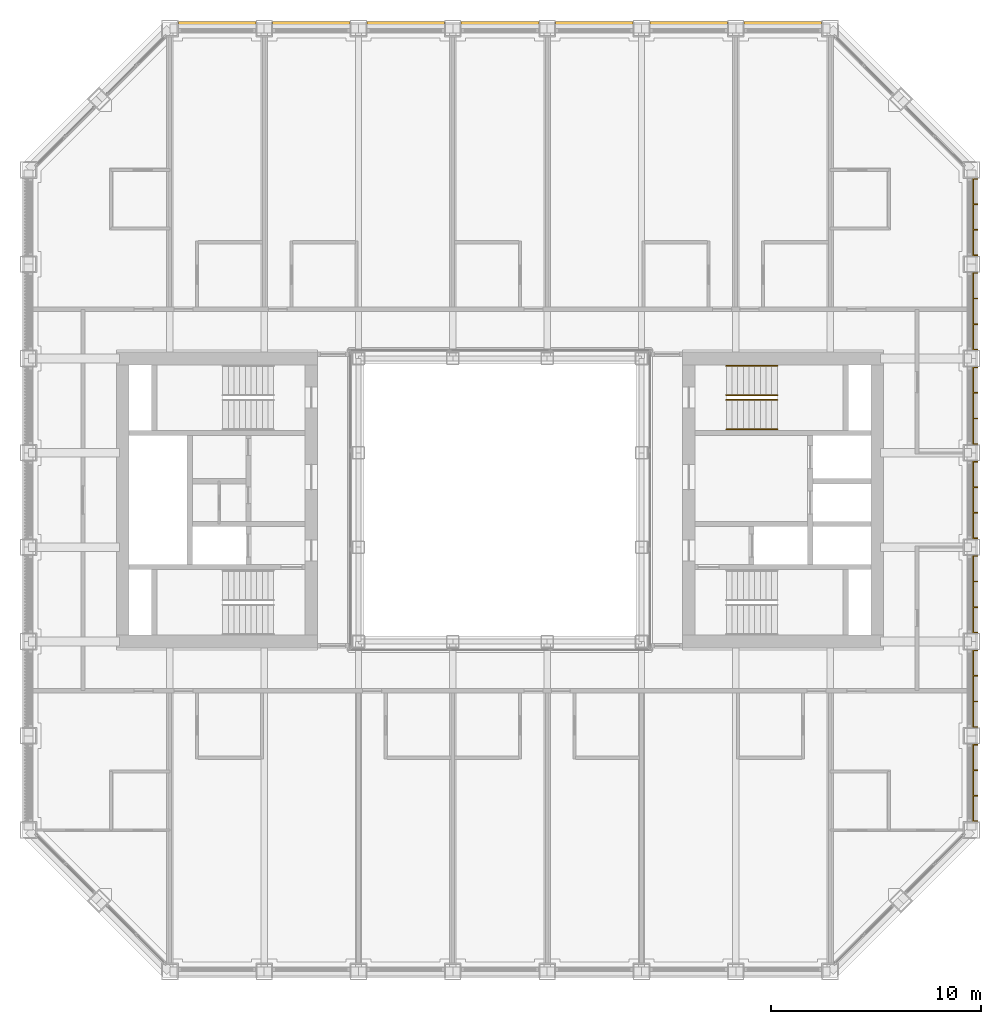
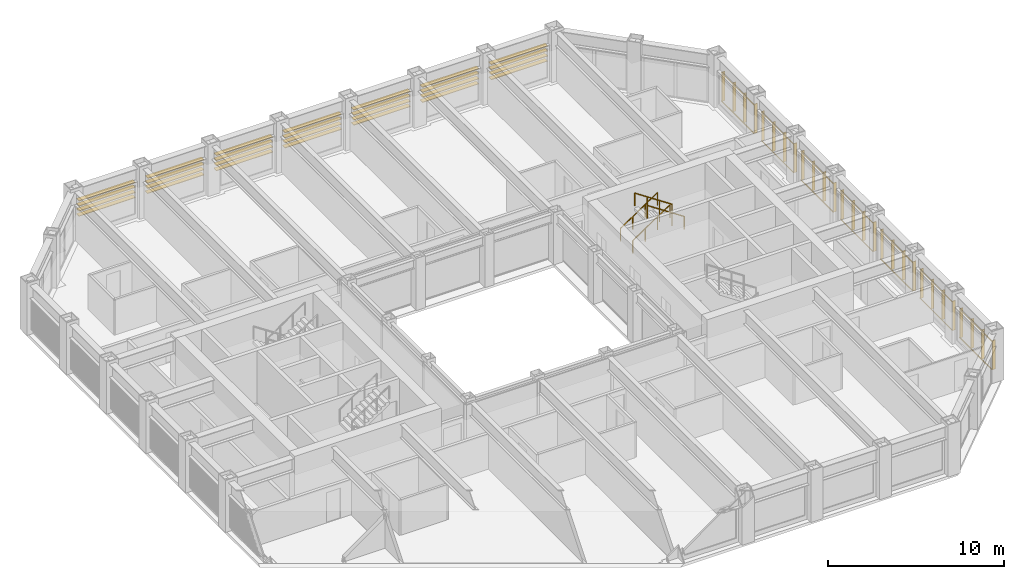
# One storey, part 17 of 17: 4 railings, 2 shading devices.
"""IFC4 building model written with IfcOpenShell, lengths in metres."""

from ifc_helpers import new_model, si_unit, direction, frame, origin, origin_2d, place, context, subcontext, project, spatial, rectangle, circle, extrude, material, type_object, element, save


model = new_model("IFC4")

# Units and contexts
model_context = context("Model", 3, precision=1e-05, world=origin(), true_north=direction((0.0, 1.0)))
body_context = subcontext(model_context, "Body", "Model", "MODEL_VIEW")
ifc_project = project(units=[si_unit("LENGTHUNIT", "METRE"), si_unit("AREAUNIT", "SQUARE_METRE"), si_unit("VOLUMEUNIT", "CUBIC_METRE"), si_unit("PLANEANGLEUNIT", "RADIAN"), si_unit("MASSUNIT", "GRAM", prefix="KILO")], contexts=[model_context])

# Site, building, storey
site_placement = place(None, origin())
site = spatial("IfcSite", under=ifc_project, at=site_placement, CompositionType="ELEMENT")
building_placement = place(site_placement, origin())
building = spatial("IfcBuilding", under=site, at=building_placement, Name="Msasa Ring Tower", CompositionType="ELEMENT")
storey_placement = place(building_placement, frame((0.0, 0.0, 154.39990234375)))
storey = spatial("IfcBuildingStorey", under=building, at=storey_placement, Name="L40", CompositionType="ELEMENT", Elevation=154.39990234375)

# Shading device
ifc_material_1 = material(Name="Extruded terracotta on aluminium carriers", Category="masonry")
shading_device_type_1 = type_object("IfcShadingDeviceType", Name="BS2 TERRACOTTA FIN SCREEN 40x200 AT 1350", PredefinedType="USERDEFINED", material=ifc_material_1)
shading_device_1_placement = place(storey_placement, origin())
element("IfcShadingDevice", 1, at=shading_device_1_placement, inside=storey, type_object=shading_device_type_1, Name="Terracotta fin screen E L40", ObjectType="BAGUETTE", PredefinedType="USERDEFINED", context=body_context, shape_type="SweptSolid", body=[
    extrude(rectangle(XDim=0.06005859375, YDim=0.0400390625, at=origin_2d()), frame((22.580078125, -15.35009765625, 0.330078125), z_axis=(0.0, 1.0, 0.0), x_axis=(0.0, 0.0, 1.0)), (0.0, 0.0, 1.0), 3.699951171875),
    extrude(rectangle(XDim=0.06005859375, YDim=0.0400390625, at=origin_2d()), frame((22.580078125, -15.35009765625, 2.299072265625), z_axis=(0.0, 1.0, 0.0), x_axis=(0.0, 0.0, 1.0)), (0.0, 0.0, 1.0), 3.699951171875),
    extrude(rectangle(XDim=0.0400390625, YDim=0.199951171875, at=origin_2d()), frame((22.695068359375, -15.330078125, 0.300048828125), z_axis=(0.0, 0.0, 1.0), x_axis=(0.0, 1.0, 0.0)), (0.0, 0.0, 1.0), 2.029052734375),
    extrude(rectangle(XDim=0.0400390625, YDim=0.199951171875, at=origin_2d()), frame((22.695068359375, -14.110107421875, 0.300048828125), z_axis=(0.0, 0.0, 1.0), x_axis=(0.0, 1.0, 0.0)), (0.0, 0.0, 1.0), 2.029052734375),
    extrude(rectangle(XDim=0.0400390625, YDim=0.199951171875, at=origin_2d()), frame((22.695068359375, -12.889892578125, 0.300048828125), z_axis=(0.0, 0.0, 1.0), x_axis=(0.0, 1.0, 0.0)), (0.0, 0.0, 1.0), 2.029052734375),
    extrude(rectangle(XDim=0.0400390625, YDim=0.199951171875, at=origin_2d()), frame((22.695068359375, -11.669921875, 0.300048828125), z_axis=(0.0, 0.0, 1.0), x_axis=(0.0, 1.0, 0.0)), (0.0, 0.0, 1.0), 2.029052734375),
    extrude(rectangle(XDim=0.06005859375, YDim=0.0400390625, at=origin_2d()), frame((22.580078125, -10.85009765625, 0.330078125), z_axis=(0.0, 1.0, 0.0), x_axis=(0.0, 0.0, 1.0)), (0.0, 0.0, 1.0), 3.699951171875),
    extrude(rectangle(XDim=0.06005859375, YDim=0.0400390625, at=origin_2d()), frame((22.580078125, -10.85009765625, 2.299072265625), z_axis=(0.0, 1.0, 0.0), x_axis=(0.0, 0.0, 1.0)), (0.0, 0.0, 1.0), 3.699951171875),
    extrude(rectangle(XDim=0.0400390625, YDim=0.199951171875, at=origin_2d()), frame((22.695068359375, -10.830078125, 0.300048828125), z_axis=(0.0, 0.0, 1.0), x_axis=(0.0, 1.0, 0.0)), (0.0, 0.0, 1.0), 2.029052734375),
    extrude(rectangle(XDim=0.0400390625, YDim=0.199951171875, at=origin_2d()), frame((22.695068359375, -9.610107421875, 0.300048828125), z_axis=(0.0, 0.0, 1.0), x_axis=(0.0, 1.0, 0.0)), (0.0, 0.0, 1.0), 2.029052734375),
    extrude(rectangle(XDim=0.0400390625, YDim=0.199951171875, at=origin_2d()), frame((22.695068359375, -8.389892578125, 0.300048828125), z_axis=(0.0, 0.0, 1.0), x_axis=(0.0, 1.0, 0.0)), (0.0, 0.0, 1.0), 2.029052734375),
    extrude(rectangle(XDim=0.0400390625, YDim=0.199951171875, at=origin_2d()), frame((22.695068359375, -7.169921875, 0.300048828125), z_axis=(0.0, 0.0, 1.0), x_axis=(0.0, 1.0, 0.0)), (0.0, 0.0, 1.0), 2.029052734375),
    extrude(rectangle(XDim=0.06005859375, YDim=0.0400390625, at=origin_2d()), frame((22.580078125, -6.35009765625, 0.330078125), z_axis=(0.0, 1.0, 0.0), x_axis=(0.0, 0.0, 1.0)), (0.0, 0.0, 1.0), 3.699951171875),
    extrude(rectangle(XDim=0.06005859375, YDim=0.0400390625, at=origin_2d()), frame((22.580078125, -6.35009765625, 2.299072265625), z_axis=(0.0, 1.0, 0.0), x_axis=(0.0, 0.0, 1.0)), (0.0, 0.0, 1.0), 3.699951171875),
    extrude(rectangle(XDim=0.0400390625, YDim=0.199951171875, at=origin_2d()), frame((22.695068359375, -6.330078125, 0.300048828125), z_axis=(0.0, 0.0, 1.0), x_axis=(0.0, 1.0, 0.0)), (0.0, 0.0, 1.0), 2.029052734375),
    extrude(rectangle(XDim=0.0400390625, YDim=0.199951171875, at=origin_2d()), frame((22.695068359375, -5.110107421875, 0.300048828125), z_axis=(0.0, 0.0, 1.0), x_axis=(0.0, 1.0, 0.0)), (0.0, 0.0, 1.0), 2.029052734375),
    extrude(rectangle(XDim=0.0400390625, YDim=0.199951171875, at=origin_2d()), frame((22.695068359375, -3.889892578125, 0.300048828125), z_axis=(0.0, 0.0, 1.0), x_axis=(0.0, 1.0, 0.0)), (0.0, 0.0, 1.0), 2.029052734375),
    extrude(rectangle(XDim=0.0400390625, YDim=0.199951171875, at=origin_2d()), frame((22.695068359375, -2.669921875, 0.300048828125), z_axis=(0.0, 0.0, 1.0), x_axis=(0.0, 1.0, 0.0)), (0.0, 0.0, 1.0), 2.029052734375),
    extrude(rectangle(XDim=0.06005859375, YDim=0.0400390625, at=origin_2d()), frame((22.580078125, -1.85009765625, 0.330078125), z_axis=(0.0, 1.0, 0.0), x_axis=(0.0, 0.0, 1.0)), (0.0, 0.0, 1.0), 3.699951171875),
    extrude(rectangle(XDim=0.06005859375, YDim=0.0400390625, at=origin_2d()), frame((22.580078125, -1.85009765625, 2.299072265625), z_axis=(0.0, 1.0, 0.0), x_axis=(0.0, 0.0, 1.0)), (0.0, 0.0, 1.0), 3.699951171875),
    extrude(rectangle(XDim=0.0400390625, YDim=0.199951171875, at=origin_2d()), frame((22.695068359375, -1.830078125, 0.300048828125), z_axis=(0.0, 0.0, 1.0), x_axis=(0.0, 1.0, 0.0)), (0.0, 0.0, 1.0), 2.029052734375),
    extrude(rectangle(XDim=0.0400390625, YDim=0.199951171875, at=origin_2d()), frame((22.695068359375, -0.610107421875, 0.300048828125), z_axis=(0.0, 0.0, 1.0), x_axis=(0.0, 1.0, 0.0)), (0.0, 0.0, 1.0), 2.029052734375),
    extrude(rectangle(XDim=0.0400390625, YDim=0.199951171875, at=origin_2d()), frame((22.695068359375, 0.610107421875, 0.300048828125), z_axis=(0.0, 0.0, 1.0), x_axis=(0.0, 1.0, 0.0)), (0.0, 0.0, 1.0), 2.029052734375),
    extrude(rectangle(XDim=0.0400390625, YDim=0.199951171875, at=origin_2d()), frame((22.695068359375, 1.830078125, 0.300048828125), z_axis=(0.0, 0.0, 1.0), x_axis=(0.0, 1.0, 0.0)), (0.0, 0.0, 1.0), 2.029052734375),
    extrude(rectangle(XDim=0.06005859375, YDim=0.0400390625, at=origin_2d()), frame((22.580078125, 2.64990234375, 0.330078125), z_axis=(0.0, 1.0, 0.0), x_axis=(0.0, 0.0, 1.0)), (0.0, 0.0, 1.0), 3.699951171875),
    extrude(rectangle(XDim=0.06005859375, YDim=0.0400390625, at=origin_2d()), frame((22.580078125, 2.64990234375, 2.299072265625), z_axis=(0.0, 1.0, 0.0), x_axis=(0.0, 0.0, 1.0)), (0.0, 0.0, 1.0), 3.699951171875),
    extrude(rectangle(XDim=0.0400390625, YDim=0.199951171875, at=origin_2d()), frame((22.695068359375, 2.669921875, 0.300048828125), z_axis=(0.0, 0.0, 1.0), x_axis=(0.0, 1.0, 0.0)), (0.0, 0.0, 1.0), 2.029052734375),
    extrude(rectangle(XDim=0.0400390625, YDim=0.199951171875, at=origin_2d()), frame((22.695068359375, 3.889892578125, 0.300048828125), z_axis=(0.0, 0.0, 1.0), x_axis=(0.0, 1.0, 0.0)), (0.0, 0.0, 1.0), 2.029052734375),
    extrude(rectangle(XDim=0.0400390625, YDim=0.199951171875, at=origin_2d()), frame((22.695068359375, 5.110107421875, 0.300048828125), z_axis=(0.0, 0.0, 1.0), x_axis=(0.0, 1.0, 0.0)), (0.0, 0.0, 1.0), 2.029052734375),
    extrude(rectangle(XDim=0.0400390625, YDim=0.199951171875, at=origin_2d()), frame((22.695068359375, 6.330078125, 0.300048828125), z_axis=(0.0, 0.0, 1.0), x_axis=(0.0, 1.0, 0.0)), (0.0, 0.0, 1.0), 2.029052734375),
    extrude(rectangle(XDim=0.06005859375, YDim=0.0400390625, at=origin_2d()), frame((22.580078125, 7.14990234375, 0.330078125), z_axis=(0.0, 1.0, 0.0), x_axis=(0.0, 0.0, 1.0)), (0.0, 0.0, 1.0), 3.699951171875),
    extrude(rectangle(XDim=0.06005859375, YDim=0.0400390625, at=origin_2d()), frame((22.580078125, 7.14990234375, 2.299072265625), z_axis=(0.0, 1.0, 0.0), x_axis=(0.0, 0.0, 1.0)), (0.0, 0.0, 1.0), 3.699951171875),
    extrude(rectangle(XDim=0.0400390625, YDim=0.199951171875, at=origin_2d()), frame((22.695068359375, 7.169921875, 0.300048828125), z_axis=(0.0, 0.0, 1.0), x_axis=(0.0, 1.0, 0.0)), (0.0, 0.0, 1.0), 2.029052734375),
    extrude(rectangle(XDim=0.0400390625, YDim=0.199951171875, at=origin_2d()), frame((22.695068359375, 8.389892578125, 0.300048828125), z_axis=(0.0, 0.0, 1.0), x_axis=(0.0, 1.0, 0.0)), (0.0, 0.0, 1.0), 2.029052734375),
    extrude(rectangle(XDim=0.0400390625, YDim=0.199951171875, at=origin_2d()), frame((22.695068359375, 9.610107421875, 0.300048828125), z_axis=(0.0, 0.0, 1.0), x_axis=(0.0, 1.0, 0.0)), (0.0, 0.0, 1.0), 2.029052734375),
    extrude(rectangle(XDim=0.0400390625, YDim=0.199951171875, at=origin_2d()), frame((22.695068359375, 10.830078125, 0.300048828125), z_axis=(0.0, 0.0, 1.0), x_axis=(0.0, 1.0, 0.0)), (0.0, 0.0, 1.0), 2.029052734375),
    extrude(rectangle(XDim=0.06005859375, YDim=0.0400390625, at=origin_2d()), frame((22.580078125, 11.64990234375, 0.330078125), z_axis=(0.0, 1.0, 0.0), x_axis=(0.0, 0.0, 1.0)), (0.0, 0.0, 1.0), 3.699951171875),
    extrude(rectangle(XDim=0.06005859375, YDim=0.0400390625, at=origin_2d()), frame((22.580078125, 11.64990234375, 2.299072265625), z_axis=(0.0, 1.0, 0.0), x_axis=(0.0, 0.0, 1.0)), (0.0, 0.0, 1.0), 3.699951171875),
    extrude(rectangle(XDim=0.0400390625, YDim=0.199951171875, at=origin_2d()), frame((22.695068359375, 11.669921875, 0.300048828125), z_axis=(0.0, 0.0, 1.0), x_axis=(0.0, 1.0, 0.0)), (0.0, 0.0, 1.0), 2.029052734375),
    extrude(rectangle(XDim=0.0400390625, YDim=0.199951171875, at=origin_2d()), frame((22.695068359375, 12.889892578125, 0.300048828125), z_axis=(0.0, 0.0, 1.0), x_axis=(0.0, 1.0, 0.0)), (0.0, 0.0, 1.0), 2.029052734375),
    extrude(rectangle(XDim=0.0400390625, YDim=0.199951171875, at=origin_2d()), frame((22.695068359375, 14.110107421875, 0.300048828125), z_axis=(0.0, 0.0, 1.0), x_axis=(0.0, 1.0, 0.0)), (0.0, 0.0, 1.0), 2.029052734375),
    extrude(rectangle(XDim=0.0400390625, YDim=0.199951171875, at=origin_2d()), frame((22.695068359375, 15.330078125, 0.300048828125), z_axis=(0.0, 0.0, 1.0), x_axis=(0.0, 1.0, 0.0)), (0.0, 0.0, 1.0), 2.029052734375),
])

# Railings
ifc_material_2 = material(Name="Stainless steel", Category="steel")
railing_type = type_object("IfcRailingType", Name="HR1 HANDRAIL 900", PredefinedType="HANDRAIL", material=ifc_material_2)
for number, where, name in (
    (2, (10.800048828125, 5.0, 0.18017578125), "Handrail stair SEB L40 1"),
    (3, (10.800048828125, 6.39990234375, 0.18017578125), "Handrail stair SEB L40 2"),
):
    element("IfcRailing", number, at=place(storey_placement, frame(where)), inside=storey, type_object=railing_type, Name=name, PredefinedType="HANDRAIL", context=body_context, shape_type="SweptSolid", body=[
        extrude(circle(Radius=0.02392578125, at=origin_2d()), frame((0.0, 0.0, 0.8759765625), z_axis=(0.832063155534, 0.0, 0.554680903946), x_axis=(0.0, 1.0, 0.0)), (0.0, 0.0, 1.0), 2.92041015625),
        extrude(circle(Radius=0.02099609375, at=origin_2d()), origin(), (0.0, 0.0, 1.0), 0.851806640625),
        extrude(circle(Radius=0.02099609375, at=origin_2d()), frame((0.81005859375, 0.0, 0.5400390625)), (0.0, 0.0, 1.0), 0.851806640625),
        extrude(circle(Radius=0.02099609375, at=origin_2d()), frame((1.619873046875, 0.0, 1.079833984375)), (0.0, 0.0, 1.0), 0.851806640625),
        extrude(circle(Radius=0.02099609375, at=origin_2d()), frame((2.429931640625, 0.0, 1.619873046875)), (0.0, 0.0, 1.0), 0.851806640625),
    ])
for number, where, name in (
    (4, (13.22998046875, 3.375, 1.97998046875), "Handrail stair SEB L40 3"),
    (5, (13.22998046875, 4.77490234375, 1.97998046875), "Handrail stair SEB L40 4"),
):
    element("IfcRailing", number, at=place(storey_placement, frame(where)), inside=storey, type_object=railing_type, Name=name, PredefinedType="HANDRAIL", context=body_context, shape_type="SweptSolid", body=[
        extrude(circle(Radius=0.02392578125, at=origin_2d()), frame((0.0, 0.0, 0.8759765625), z_axis=(-0.832024571796, 0.0, 0.554738778101), x_axis=(0.0, -1.0, 0.0)), (0.0, 0.0, 1.0), 2.92041015625),
        extrude(circle(Radius=0.02099609375, at=origin_2d()), origin(), (0.0, 0.0, 1.0), 0.851806640625),
        extrude(circle(Radius=0.02099609375, at=origin_2d()), frame((-0.81005859375, 0.0, 0.5400390625)), (0.0, 0.0, 1.0), 0.851806640625),
        extrude(circle(Radius=0.02099609375, at=origin_2d()), frame((-1.619873046875, 0.0, 1.080078125)), (0.0, 0.0, 1.0), 0.851806640625),
        extrude(circle(Radius=0.02099609375, at=origin_2d()), frame((-2.429931640625, 0.0, 1.6201171875)), (0.0, 0.0, 1.0), 0.851806640625),
    ])

# Shading device
ifc_material_3 = material(Name="Extruded terracotta blades", Category="masonry")
shading_device_type_2 = type_object("IfcShadingDeviceType", Name="SS1 TERRACOTTA SUNSHADE 4 BLADES 300x40 AT 350", PredefinedType="USERDEFINED", material=ifc_material_3)
shading_device_2_placement = place(storey_placement, origin())
element("IfcShadingDevice", 6, at=shading_device_2_placement, inside=storey, type_object=shading_device_type_2, Name="Terracotta sunshade N L40", ObjectType="SUNSHADE", PredefinedType="USERDEFINED", context=body_context, shape_type="SweptSolid", body=[
    extrude(rectangle(XDim=0.0400390625, YDim=0.300048828125, at=origin_2d()), frame((-15.35009765625, 22.679931640625, 2.30908203125), z_axis=(1.0, 0.0, 0.0), x_axis=(0.0, 0.0, 1.0)), (0.0, 0.0, 1.0), 3.699951171875),
    extrude(rectangle(XDim=0.0400390625, YDim=0.300048828125, at=origin_2d()), frame((-15.35009765625, 22.679931640625, 1.958984375), z_axis=(1.0, 0.0, 0.0), x_axis=(0.0, 0.0, 1.0)), (0.0, 0.0, 1.0), 3.699951171875),
    extrude(rectangle(XDim=0.0400390625, YDim=0.300048828125, at=origin_2d()), frame((-15.35009765625, 22.679931640625, 1.609130859375), z_axis=(1.0, 0.0, 0.0), x_axis=(0.0, 0.0, 1.0)), (0.0, 0.0, 1.0), 3.699951171875),
    extrude(rectangle(XDim=0.0400390625, YDim=0.300048828125, at=origin_2d()), frame((-15.35009765625, 22.679931640625, 1.259033203125), z_axis=(1.0, 0.0, 0.0), x_axis=(0.0, 0.0, 1.0)), (0.0, 0.0, 1.0), 3.699951171875),
    extrude(rectangle(XDim=0.0400390625, YDim=0.300048828125, at=origin_2d()), frame((-10.85009765625, 22.679931640625, 2.30908203125), z_axis=(1.0, 0.0, 0.0), x_axis=(0.0, 0.0, 1.0)), (0.0, 0.0, 1.0), 3.699951171875),
    extrude(rectangle(XDim=0.0400390625, YDim=0.300048828125, at=origin_2d()), frame((-10.85009765625, 22.679931640625, 1.958984375), z_axis=(1.0, 0.0, 0.0), x_axis=(0.0, 0.0, 1.0)), (0.0, 0.0, 1.0), 3.699951171875),
    extrude(rectangle(XDim=0.0400390625, YDim=0.300048828125, at=origin_2d()), frame((-10.85009765625, 22.679931640625, 1.609130859375), z_axis=(1.0, 0.0, 0.0), x_axis=(0.0, 0.0, 1.0)), (0.0, 0.0, 1.0), 3.699951171875),
    extrude(rectangle(XDim=0.0400390625, YDim=0.300048828125, at=origin_2d()), frame((-10.85009765625, 22.679931640625, 1.259033203125), z_axis=(1.0, 0.0, 0.0), x_axis=(0.0, 0.0, 1.0)), (0.0, 0.0, 1.0), 3.699951171875),
    extrude(rectangle(XDim=0.0400390625, YDim=0.300048828125, at=origin_2d()), frame((-6.35009765625, 22.679931640625, 2.30908203125), z_axis=(1.0, 0.0, 0.0), x_axis=(0.0, 0.0, 1.0)), (0.0, 0.0, 1.0), 3.699951171875),
    extrude(rectangle(XDim=0.0400390625, YDim=0.300048828125, at=origin_2d()), frame((-6.35009765625, 22.679931640625, 1.958984375), z_axis=(1.0, 0.0, 0.0), x_axis=(0.0, 0.0, 1.0)), (0.0, 0.0, 1.0), 3.699951171875),
    extrude(rectangle(XDim=0.0400390625, YDim=0.300048828125, at=origin_2d()), frame((-6.35009765625, 22.679931640625, 1.609130859375), z_axis=(1.0, 0.0, 0.0), x_axis=(0.0, 0.0, 1.0)), (0.0, 0.0, 1.0), 3.699951171875),
    extrude(rectangle(XDim=0.0400390625, YDim=0.300048828125, at=origin_2d()), frame((-6.35009765625, 22.679931640625, 1.259033203125), z_axis=(1.0, 0.0, 0.0), x_axis=(0.0, 0.0, 1.0)), (0.0, 0.0, 1.0), 3.699951171875),
    extrude(rectangle(XDim=0.0400390625, YDim=0.300048828125, at=origin_2d()), frame((-1.85009765625, 22.679931640625, 2.30908203125), z_axis=(1.0, 0.0, 0.0), x_axis=(0.0, 0.0, 1.0)), (0.0, 0.0, 1.0), 3.699951171875),
    extrude(rectangle(XDim=0.0400390625, YDim=0.300048828125, at=origin_2d()), frame((-1.85009765625, 22.679931640625, 1.958984375), z_axis=(1.0, 0.0, 0.0), x_axis=(0.0, 0.0, 1.0)), (0.0, 0.0, 1.0), 3.699951171875),
    extrude(rectangle(XDim=0.0400390625, YDim=0.300048828125, at=origin_2d()), frame((-1.85009765625, 22.679931640625, 1.609130859375), z_axis=(1.0, 0.0, 0.0), x_axis=(0.0, 0.0, 1.0)), (0.0, 0.0, 1.0), 3.699951171875),
    extrude(rectangle(XDim=0.0400390625, YDim=0.300048828125, at=origin_2d()), frame((-1.85009765625, 22.679931640625, 1.259033203125), z_axis=(1.0, 0.0, 0.0), x_axis=(0.0, 0.0, 1.0)), (0.0, 0.0, 1.0), 3.699951171875),
    extrude(rectangle(XDim=0.0400390625, YDim=0.300048828125, at=origin_2d()), frame((2.64990234375, 22.679931640625, 2.30908203125), z_axis=(1.0, 0.0, 0.0), x_axis=(0.0, 0.0, 1.0)), (0.0, 0.0, 1.0), 3.699951171875),
    extrude(rectangle(XDim=0.0400390625, YDim=0.300048828125, at=origin_2d()), frame((2.64990234375, 22.679931640625, 1.958984375), z_axis=(1.0, 0.0, 0.0), x_axis=(0.0, 0.0, 1.0)), (0.0, 0.0, 1.0), 3.699951171875),
    extrude(rectangle(XDim=0.0400390625, YDim=0.300048828125, at=origin_2d()), frame((2.64990234375, 22.679931640625, 1.609130859375), z_axis=(1.0, 0.0, 0.0), x_axis=(0.0, 0.0, 1.0)), (0.0, 0.0, 1.0), 3.699951171875),
    extrude(rectangle(XDim=0.0400390625, YDim=0.300048828125, at=origin_2d()), frame((2.64990234375, 22.679931640625, 1.259033203125), z_axis=(1.0, 0.0, 0.0), x_axis=(0.0, 0.0, 1.0)), (0.0, 0.0, 1.0), 3.699951171875),
    extrude(rectangle(XDim=0.0400390625, YDim=0.300048828125, at=origin_2d()), frame((7.14990234375, 22.679931640625, 2.30908203125), z_axis=(1.0, 0.0, 0.0), x_axis=(0.0, 0.0, 1.0)), (0.0, 0.0, 1.0), 3.699951171875),
    extrude(rectangle(XDim=0.0400390625, YDim=0.300048828125, at=origin_2d()), frame((7.14990234375, 22.679931640625, 1.958984375), z_axis=(1.0, 0.0, 0.0), x_axis=(0.0, 0.0, 1.0)), (0.0, 0.0, 1.0), 3.699951171875),
    extrude(rectangle(XDim=0.0400390625, YDim=0.300048828125, at=origin_2d()), frame((7.14990234375, 22.679931640625, 1.609130859375), z_axis=(1.0, 0.0, 0.0), x_axis=(0.0, 0.0, 1.0)), (0.0, 0.0, 1.0), 3.699951171875),
    extrude(rectangle(XDim=0.0400390625, YDim=0.300048828125, at=origin_2d()), frame((7.14990234375, 22.679931640625, 1.259033203125), z_axis=(1.0, 0.0, 0.0), x_axis=(0.0, 0.0, 1.0)), (0.0, 0.0, 1.0), 3.699951171875),
    extrude(rectangle(XDim=0.0400390625, YDim=0.300048828125, at=origin_2d()), frame((11.64990234375, 22.679931640625, 2.30908203125), z_axis=(1.0, 0.0, 0.0), x_axis=(0.0, 0.0, 1.0)), (0.0, 0.0, 1.0), 3.699951171875),
    extrude(rectangle(XDim=0.0400390625, YDim=0.300048828125, at=origin_2d()), frame((11.64990234375, 22.679931640625, 1.958984375), z_axis=(1.0, 0.0, 0.0), x_axis=(0.0, 0.0, 1.0)), (0.0, 0.0, 1.0), 3.699951171875),
    extrude(rectangle(XDim=0.0400390625, YDim=0.300048828125, at=origin_2d()), frame((11.64990234375, 22.679931640625, 1.609130859375), z_axis=(1.0, 0.0, 0.0), x_axis=(0.0, 0.0, 1.0)), (0.0, 0.0, 1.0), 3.699951171875),
    extrude(rectangle(XDim=0.0400390625, YDim=0.300048828125, at=origin_2d()), frame((11.64990234375, 22.679931640625, 1.259033203125), z_axis=(1.0, 0.0, 0.0), x_axis=(0.0, 0.0, 1.0)), (0.0, 0.0, 1.0), 3.699951171875),
])

save(model, "model.ifc")
